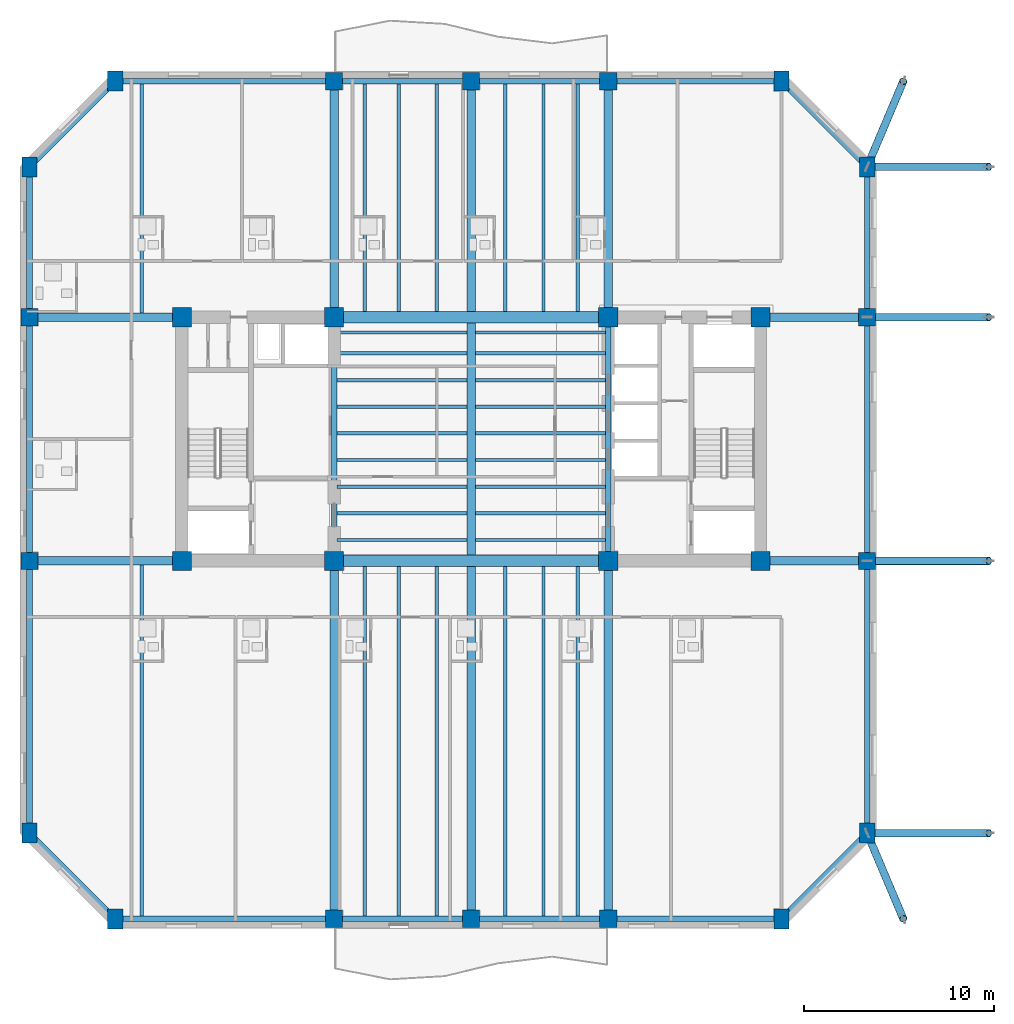
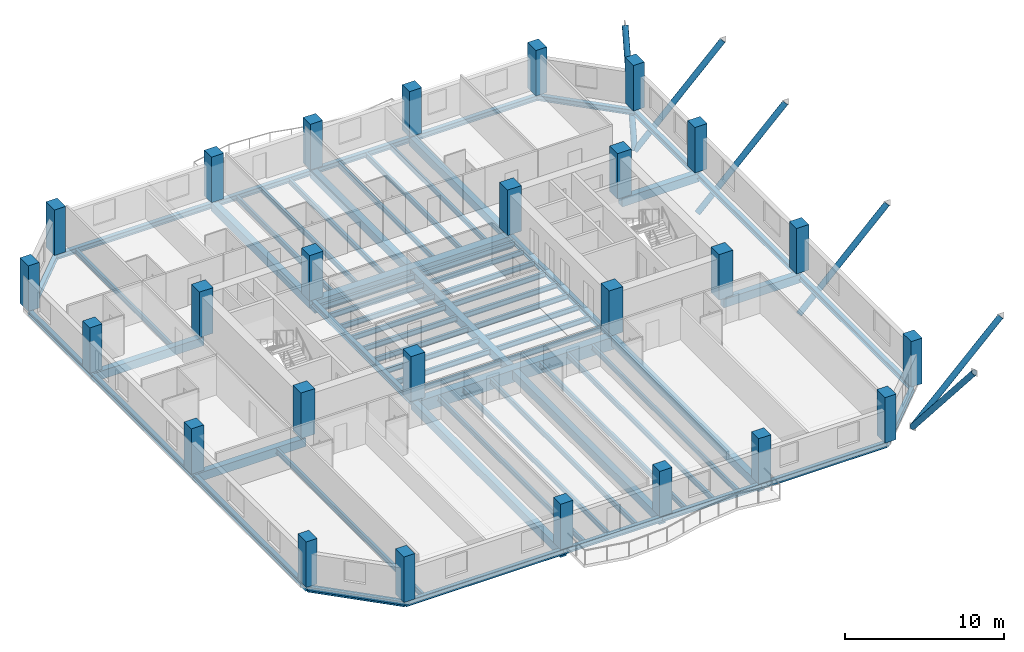
# One storey, part 1 of 14: 65 beams, 26 columns, 6 members.
"""IFC4 building model written with IfcOpenShell, lengths in metres."""

from ifc_helpers import new_model, si_unit, direction, frame, origin, origin_2d, place, context, subcontext, project, spatial, rectangle, hollow_circle, i_section, extrude, material, material_profile, profile_set, type_object, element, save


model = new_model("IFC4")

# Units and contexts
model_context = context("Model", 3, precision=1e-05, world=origin(), true_north=direction((0.0, 1.0)))
body_context = subcontext(model_context, "Body", "Model", "MODEL_VIEW")
ifc_project = project(units=[si_unit("LENGTHUNIT", "METRE"), si_unit("AREAUNIT", "SQUARE_METRE"), si_unit("VOLUMEUNIT", "CUBIC_METRE"), si_unit("PLANEANGLEUNIT", "RADIAN"), si_unit("MASSUNIT", "GRAM", prefix="KILO")], contexts=[model_context])

# Site, building, storey
site_placement = place(None, origin())
site = spatial("IfcSite", under=ifc_project, at=site_placement, CompositionType="ELEMENT")
building_placement = place(site_placement, origin())
building = spatial("IfcBuilding", under=site, at=building_placement, Name="Kranthara Brick Stack", CompositionType="ELEMENT")
storey_placement = place(building_placement, frame((0.0, 0.0, 137.800048828125)))
storey = spatial("IfcBuildingStorey", under=building, at=storey_placement, Name="L34", CompositionType="ELEMENT", Elevation=137.800048828125)

# Columns
ifc_material_1 = material(Name="Concrete C60/75", Category="concrete")
ifc_material_profile_1 = material_profile(ifc_material_1, rectangle(XDim=0.800048828125, YDim=1.050048828125, at=origin_2d()), Name="RC 800x1050")
ifc_profile_set_1 = profile_set([ifc_material_profile_1], Name="Concrete C60/75")
column_type_1 = type_object("IfcColumnType", Name="COL-CHAM-800x1050", PredefinedType="COLUMN", material=ifc_profile_set_1)
for number, where, z_axis, x_axis, name in (
    (1, (9.300048828125, 2.0, 0.0), (0.0, 0.0, 1.0), (1.0, 0.0, 0.0), "L34 Column 09"),
    (2, (9.300048828125, 46.0, 0.0), (0.0, 0.0, 1.0), (1.0, 0.0, 0.0), "L34 Column 10"),
    (3, (44.300048828125, 2.0, 0.0), (0.0, 0.0, 1.0), (1.0, 0.0, 0.0), "L34 Column 17"),
    (4, (44.300048828125, 46.0, 0.0), (0.0, 0.0, 1.0), (1.0, 0.0, 0.0), "L34 Column 18"),
    (5, (4.800048828125, 6.5, 0.0), (0.0, 0.0, 1.0), (1.0, 0.0, 0.0), "L34 Column 19"),
    (6, (48.800048828125, 6.5, 0.0), (0.0, 0.0, 1.0), (1.0, 0.0, 0.0), "L34 Column 20"),
    (7, (4.800048828125, 41.5, 0.0), (0.0, 0.0, 1.0), (1.0, 0.0, 0.0), "L34 Column 25"),
    (8, (48.800048828125, 41.5, 0.0), (0.0, 0.0, 1.0), (1.0, 0.0, 0.0), "L34 Column 26"),
):
    element("IfcColumn", number, at=place(storey_placement, frame(where, z_axis=z_axis, x_axis=x_axis)), inside=storey, type_object=column_type_1, Name=name, PredefinedType="COLUMN", context=body_context, shape_type="SweptSolid", body=[
        extrude(rectangle(XDim=0.800048828125, YDim=1.050048828125, at=origin_2d()), origin(), (0.0, 0.0, 1.0), 3.5),
    ])
ifc_material_2 = material(Name="Concrete C60/75", Category="concrete")
ifc_material_profile_2 = material_profile(ifc_material_2, rectangle(XDim=1.0, YDim=1.0, at=origin_2d()), Name="RC 1000x1000")
ifc_profile_set_2 = profile_set([ifc_material_profile_2], Name="Concrete C60/75")
column_type_2 = type_object("IfcColumnType", Name="COL-CORE-1000", PredefinedType="COLUMN", material=ifc_profile_set_2)
for number, where, z_axis, x_axis, name in (
    (9, (12.800048828125, 20.800048828125, 0.0), (0.0, 0.0, 1.0), (1.0, 0.0, 0.0), "L34 Column 01"),
    (10, (20.800048828125, 20.800048828125, 0.0), (0.0, 0.0, 1.0), (1.0, 0.0, 0.0), "L34 Column 02"),
    (11, (12.800048828125, 33.60009765625, 0.0), (0.0, 0.0, 1.0), (1.0, 0.0, 0.0), "L34 Column 03"),
    (12, (20.800048828125, 33.60009765625, 0.0), (0.0, 0.0, 1.0), (1.0, 0.0, 0.0), "L34 Column 04"),
    (13, (35.199951171875, 20.800048828125, 0.0), (0.0, 0.0, 1.0), (1.0, 0.0, 0.0), "L34 Column 05"),
    (14, (43.199951171875, 20.800048828125, 0.0), (0.0, 0.0, 1.0), (1.0, 0.0, 0.0), "L34 Column 06"),
    (15, (35.199951171875, 33.60009765625, 0.0), (0.0, 0.0, 1.0), (1.0, 0.0, 0.0), "L34 Column 07"),
    (16, (43.199951171875, 33.60009765625, 0.0), (0.0, 0.0, 1.0), (1.0, 0.0, 0.0), "L34 Column 08"),
):
    element("IfcColumn", number, at=place(storey_placement, frame(where, z_axis=z_axis, x_axis=x_axis)), inside=storey, type_object=column_type_2, Name=name, PredefinedType="COLUMN", context=body_context, shape_type="SweptSolid", body=[
        extrude(rectangle(XDim=1.0, YDim=1.0, at=origin_2d()), origin(), (0.0, 0.0, 1.0), 3.5),
    ])
ifc_material_3 = material(Name="Concrete C60/75", Category="concrete")
ifc_material_profile_3 = material_profile(ifc_material_3, rectangle(XDim=0.89990234375, YDim=0.89990234375, at=origin_2d()), Name="RC 900x900")
ifc_profile_set_3 = profile_set([ifc_material_profile_3], Name="Concrete C60/75")
column_type_3 = type_object("IfcColumnType", Name="COL-PER-900", PredefinedType="COLUMN", material=ifc_profile_set_3)
for number, where, z_axis, x_axis, name in (
    (17, (20.800048828125, 2.0, 0.0), (0.0, 0.0, 1.0), (1.0, 0.0, 0.0), "L34 Column 11"),
    (18, (20.800048828125, 46.0, 0.0), (0.0, 0.0, 1.0), (1.0, 0.0, 0.0), "L34 Column 12"),
    (19, (28.0, 2.0, 0.0), (0.0, 0.0, 1.0), (1.0, 0.0, 0.0), "L34 Column 13"),
    (20, (28.0, 46.0, 0.0), (0.0, 0.0, 1.0), (1.0, 0.0, 0.0), "L34 Column 14"),
    (21, (35.199951171875, 2.0, 0.0), (0.0, 0.0, 1.0), (1.0, 0.0, 0.0), "L34 Column 15"),
    (22, (35.199951171875, 46.0, 0.0), (0.0, 0.0, 1.0), (1.0, 0.0, 0.0), "L34 Column 16"),
    (23, (4.800048828125, 20.800048828125, 0.0), (0.0, 0.0, 1.0), (1.0, 0.0, 0.0), "L34 Column 21"),
    (24, (48.800048828125, 20.800048828125, 0.0), (0.0, 0.0, 1.0), (1.0, 0.0, 0.0), "L34 Column 22"),
    (25, (4.800048828125, 33.60009765625, 0.0), (0.0, 0.0, 1.0), (1.0, 0.0, 0.0), "L34 Column 23"),
    (26, (48.800048828125, 33.60009765625, 0.0), (0.0, 0.0, 1.0), (1.0, 0.0, 0.0), "L34 Column 24"),
):
    element("IfcColumn", number, at=place(storey_placement, frame(where, z_axis=z_axis, x_axis=x_axis)), inside=storey, type_object=column_type_3, Name=name, PredefinedType="COLUMN", context=body_context, shape_type="SweptSolid", body=[
        extrude(rectangle(XDim=0.89990234375, YDim=0.89990234375, at=origin_2d()), origin(), (0.0, 0.0, 1.0), 3.5),
    ])

# Beams
ifc_material_4 = material(Name="Concrete C60/75", Category="concrete")
ifc_material_profile_4 = material_profile(ifc_material_4, rectangle(XDim=0.60009765625, YDim=0.949951171875, at=origin_2d()), Name="RC 600x950")
ifc_profile_set_4 = profile_set([ifc_material_profile_4], Name="Concrete C60/75")
beam_type_1 = type_object("IfcBeamType", Name="BM-CPL-RC950", PredefinedType="LINTEL", material=ifc_profile_set_4)
for number, where, z_axis, x_axis, name in (
    (27, (20.800048828125, 20.800048828125, -0.775146484375), (1.0, 0.0, 0.0), (0.0, 1.0, 0.0), "L34 Core Coupling Beam 001"),
    (28, (20.800048828125, 33.60009765625, -0.775146484375), (1.0, 0.0, 0.0), (0.0, 1.0, 0.0), "L34 Core Coupling Beam 002"),
):
    element("IfcBeam", number, at=place(storey_placement, frame(where, z_axis=z_axis, x_axis=x_axis)), inside=storey, type_object=beam_type_1, Name=name, PredefinedType="LINTEL", context=body_context, shape_type="SweptSolid", body=[
        extrude(rectangle(XDim=0.60009765625, YDim=0.949951171875, at=origin_2d()), origin(), (0.0, 0.0, 1.0), 14.39990234375),
    ])
ifc_material_5 = material(Name="Post-tensioned concrete C45/55", Category="concrete")
ifc_material_profile_5 = material_profile(ifc_material_5, rectangle(XDim=0.449951171875, YDim=0.64990234375, at=origin_2d()), Name="PT 450x650")
ifc_profile_set_5 = profile_set([ifc_material_profile_5], Name="Post-tensioned concrete C45/55")
beam_type_2 = type_object("IfcBeamType", Name="BM-FLR-PT650", PredefinedType="BEAM", material=ifc_profile_set_5)
beam_1_placement = place(storey_placement, frame((20.800048828125, 2.0, -0.625), z_axis=(0.0, 1.0, 0.0), x_axis=(-1.0, 0.0, 0.0)))
element("IfcBeam", 29, at=beam_1_placement, inside=storey, type_object=beam_type_2, Name="L34 Primary Grid Girder 023", PredefinedType="BEAM", context=body_context, shape_type="SweptSolid", body=[
    extrude(rectangle(XDim=0.449951171875, YDim=0.64990234375, at=origin_2d()), origin(), (0.0, 0.0, 1.0), 18.800048828125),
])
beam_2_placement = place(storey_placement, frame((20.800048828125, 33.60009765625, -0.625), z_axis=(0.0, 1.0, 0.0), x_axis=(-1.0, 0.0, 0.0)))
element("IfcBeam", 30, at=beam_2_placement, inside=storey, type_object=beam_type_2, Name="L34 Primary Grid Girder 024", PredefinedType="BEAM", context=body_context, shape_type="SweptSolid", body=[
    extrude(rectangle(XDim=0.449951171875, YDim=0.64990234375, at=origin_2d()), origin(), (0.0, 0.0, 1.0), 12.39990234375),
])
beam_3_placement = place(storey_placement, frame((28.0, 2.0, -0.625), z_axis=(0.0, 1.0, 0.0), x_axis=(-1.0, 0.0, 0.0)))
element("IfcBeam", 31, at=beam_3_placement, inside=storey, type_object=beam_type_2, Name="L34 Primary Grid Girder 025", PredefinedType="BEAM", context=body_context, shape_type="SweptSolid", body=[
    extrude(rectangle(XDim=0.449951171875, YDim=0.64990234375, at=origin_2d()), origin(), (0.0, 0.0, 1.0), 18.5),
])
beam_4_placement = place(storey_placement, frame((28.0, 21.10009765625, -0.625), z_axis=(0.0, 1.0, 0.0), x_axis=(-1.0, 0.0, 0.0)))
element("IfcBeam", 32, at=beam_4_placement, inside=storey, type_object=beam_type_2, Name="L34 Central Spine Girder 026", PredefinedType="BEAM", context=body_context, shape_type="SweptSolid", body=[
    extrude(rectangle(XDim=0.449951171875, YDim=0.64990234375, at=origin_2d()), origin(), (0.0, 0.0, 1.0), 12.199951171875),
])
beam_5_placement = place(storey_placement, frame((28.0, 33.89990234375, -0.625), z_axis=(0.0, 1.0, 0.0), x_axis=(-1.0, 0.0, 0.0)))
element("IfcBeam", 33, at=beam_5_placement, inside=storey, type_object=beam_type_2, Name="L34 Primary Grid Girder 027", PredefinedType="BEAM", context=body_context, shape_type="SweptSolid", body=[
    extrude(rectangle(XDim=0.449951171875, YDim=0.64990234375, at=origin_2d()), origin(), (0.0, 0.0, 1.0), 12.10009765625),
])
beam_6_placement = place(storey_placement, frame((35.199951171875, 2.0, -0.625), z_axis=(0.0, 1.0, 0.0), x_axis=(-1.0, 0.0, 0.0)))
element("IfcBeam", 34, at=beam_6_placement, inside=storey, type_object=beam_type_2, Name="L34 Primary Grid Girder 028", PredefinedType="BEAM", context=body_context, shape_type="SweptSolid", body=[
    extrude(rectangle(XDim=0.449951171875, YDim=0.64990234375, at=origin_2d()), origin(), (0.0, 0.0, 1.0), 18.800048828125),
])
beam_7_placement = place(storey_placement, frame((35.199951171875, 33.60009765625, -0.625), z_axis=(0.0, 1.0, 0.0), x_axis=(-1.0, 0.0, 0.0)))
element("IfcBeam", 35, at=beam_7_placement, inside=storey, type_object=beam_type_2, Name="L34 Primary Grid Girder 029", PredefinedType="BEAM", context=body_context, shape_type="SweptSolid", body=[
    extrude(rectangle(XDim=0.449951171875, YDim=0.64990234375, at=origin_2d()), origin(), (0.0, 0.0, 1.0), 12.39990234375),
])
beam_8_placement = place(storey_placement, frame((4.800048828125, 20.800048828125, -0.625), z_axis=(1.0, 0.0, 0.0), x_axis=(0.0, 1.0, 0.0)))
element("IfcBeam", 36, at=beam_8_placement, inside=storey, type_object=beam_type_2, Name="L34 Primary Grid Girder 030", PredefinedType="BEAM", context=body_context, shape_type="SweptSolid", body=[
    extrude(rectangle(XDim=0.449951171875, YDim=0.64990234375, at=origin_2d()), origin(), (0.0, 0.0, 1.0), 8.0),
])
beam_9_placement = place(storey_placement, frame((43.199951171875, 20.800048828125, -0.625), z_axis=(1.0, 0.0, 0.0), x_axis=(0.0, 1.0, 0.0)))
element("IfcBeam", 37, at=beam_9_placement, inside=storey, type_object=beam_type_2, Name="L34 Primary Grid Girder 031", PredefinedType="BEAM", context=body_context, shape_type="SweptSolid", body=[
    extrude(rectangle(XDim=0.449951171875, YDim=0.64990234375, at=origin_2d()), origin(), (0.0, 0.0, 1.0), 5.60009765625),
])
beam_10_placement = place(storey_placement, frame((4.800048828125, 33.60009765625, -0.625), z_axis=(1.0, 0.0, 0.0), x_axis=(0.0, 1.0, 0.0)))
element("IfcBeam", 38, at=beam_10_placement, inside=storey, type_object=beam_type_2, Name="L34 Primary Grid Girder 032", PredefinedType="BEAM", context=body_context, shape_type="SweptSolid", body=[
    extrude(rectangle(XDim=0.449951171875, YDim=0.64990234375, at=origin_2d()), origin(), (0.0, 0.0, 1.0), 8.0),
])
beam_11_placement = place(storey_placement, frame((43.199951171875, 33.60009765625, -0.625), z_axis=(1.0, 0.0, 0.0), x_axis=(0.0, 1.0, 0.0)))
element("IfcBeam", 39, at=beam_11_placement, inside=storey, type_object=beam_type_2, Name="L34 Primary Grid Girder 033", PredefinedType="BEAM", context=body_context, shape_type="SweptSolid", body=[
    extrude(rectangle(XDim=0.449951171875, YDim=0.64990234375, at=origin_2d()), origin(), (0.0, 0.0, 1.0), 5.60009765625),
])
ifc_material_6 = material(Name="Steel S355", Category="steel")
ifc_material_profile_6 = material_profile(ifc_material_6, i_section(OverallWidth=0.179931640625, OverallDepth=0.39990234375, WebThickness=0.008544921875, FlangeThickness=0.013427734375, at=origin_2d()), Name="IPE 400")
ifc_profile_set_6 = profile_set([ifc_material_profile_6], Name="Steel S355")
beam_type_3 = type_object("IfcBeamType", Name="BM-JST-IPE400", PredefinedType="JOIST", material=ifc_profile_set_6)
for number, where, z_axis, x_axis, name in (
    (40, (20.949951171875, 21.89990234375, -0.5), (1.0, 0.0, 0.0), (0.0, 1.0, 0.0), "L34 Central Floor Joist 034"),
    (41, (28.22509765625, 21.89990234375, -0.5), (1.0, 0.0, 0.0), (0.0, 1.0, 0.0), "L34 Central Floor Joist 035"),
    (42, (20.949951171875, 23.300048828125, -0.5), (1.0, 0.0, 0.0), (0.0, 1.0, 0.0), "L34 Central Floor Joist 036"),
    (43, (28.22509765625, 23.300048828125, -0.5), (1.0, 0.0, 0.0), (0.0, 1.0, 0.0), "L34 Central Floor Joist 037"),
    (44, (20.949951171875, 24.699951171875, -0.5), (1.0, 0.0, 0.0), (0.0, 1.0, 0.0), "L34 Central Floor Joist 038"),
    (45, (28.22509765625, 24.699951171875, -0.5), (1.0, 0.0, 0.0), (0.0, 1.0, 0.0), "L34 Central Floor Joist 039"),
    (46, (20.949951171875, 26.10009765625, -0.5), (1.0, 0.0, 0.0), (0.0, 1.0, 0.0), "L34 Central Floor Joist 040"),
    (47, (28.22509765625, 26.10009765625, -0.5), (1.0, 0.0, 0.0), (0.0, 1.0, 0.0), "L34 Central Floor Joist 041"),
    (48, (20.949951171875, 27.5, -0.5), (1.0, 0.0, 0.0), (0.0, 1.0, 0.0), "L34 Central Floor Joist 042"),
    (49, (28.22509765625, 27.5, -0.5), (1.0, 0.0, 0.0), (0.0, 1.0, 0.0), "L34 Central Floor Joist 043"),
    (50, (20.949951171875, 28.89990234375, -0.5), (1.0, 0.0, 0.0), (0.0, 1.0, 0.0), "L34 Central Floor Joist 044"),
    (51, (28.22509765625, 28.89990234375, -0.5), (1.0, 0.0, 0.0), (0.0, 1.0, 0.0), "L34 Central Floor Joist 045"),
    (52, (20.949951171875, 30.300048828125, -0.5), (1.0, 0.0, 0.0), (0.0, 1.0, 0.0), "L34 Central Floor Joist 046"),
    (53, (28.22509765625, 30.300048828125, -0.5), (1.0, 0.0, 0.0), (0.0, 1.0, 0.0), "L34 Central Floor Joist 047"),
    (54, (20.949951171875, 31.699951171875, -0.5), (1.0, 0.0, 0.0), (0.0, 1.0, 0.0), "L34 Central Floor Joist 048"),
    (55, (28.22509765625, 31.699951171875, -0.5), (1.0, 0.0, 0.0), (0.0, 1.0, 0.0), "L34 Central Floor Joist 049"),
    (56, (20.949951171875, 32.800048828125, -0.5), (1.0, 0.0, 0.0), (0.0, 1.0, 0.0), "L34 Central Floor Joist 050"),
    (57, (28.22509765625, 32.800048828125, -0.5), (1.0, 0.0, 0.0), (0.0, 1.0, 0.0), "L34 Central Floor Joist 051"),
):
    element("IfcBeam", number, at=place(storey_placement, frame(where, z_axis=z_axis, x_axis=x_axis)), inside=storey, type_object=beam_type_3, Name=name, PredefinedType="JOIST", context=body_context, shape_type="SweptSolid", body=[
        extrude(i_section(OverallWidth=0.179931640625, OverallDepth=0.39990234375, WebThickness=0.008544921875, FlangeThickness=0.013427734375, at=origin_2d()), origin(), (0.0, 0.0, 1.0), 6.824951171875),
    ])
beam_12_placement = place(storey_placement, frame((10.699951171875, 2.14990234375, -0.5), z_axis=(0.0, 1.0, 0.0), x_axis=(-1.0, 0.0, 0.0)))
element("IfcBeam", 58, at=beam_12_placement, inside=storey, type_object=beam_type_3, Name="L34 South Wing Floor Joist 052", PredefinedType="JOIST", context=body_context, shape_type="SweptSolid", body=[
    extrude(i_section(OverallWidth=0.179931640625, OverallDepth=0.39990234375, WebThickness=0.008544921875, FlangeThickness=0.013427734375, at=origin_2d()), origin(), (0.0, 0.0, 1.0), 18.425048828125),
])
beam_13_placement = place(storey_placement, frame((10.699951171875, 33.824951171875, -0.5), z_axis=(0.0, 1.0, 0.0), x_axis=(-1.0, 0.0, 0.0)))
element("IfcBeam", 59, at=beam_13_placement, inside=storey, type_object=beam_type_3, Name="L34 North Wing Floor Joist 053", PredefinedType="JOIST", context=body_context, shape_type="SweptSolid", body=[
    extrude(i_section(OverallWidth=0.179931640625, OverallDepth=0.39990234375, WebThickness=0.008544921875, FlangeThickness=0.013427734375, at=origin_2d()), origin(), (0.0, 0.0, 1.0), 12.025146484375),
])
beam_14_placement = place(storey_placement, frame((22.39990234375, 2.14990234375, -0.5), z_axis=(0.0, 1.0, 0.0), x_axis=(-1.0, 0.0, 0.0)))
element("IfcBeam", 60, at=beam_14_placement, inside=storey, type_object=beam_type_3, Name="L34 South Wing Floor Joist 054", PredefinedType="JOIST", context=body_context, shape_type="SweptSolid", body=[
    extrude(i_section(OverallWidth=0.179931640625, OverallDepth=0.39990234375, WebThickness=0.008544921875, FlangeThickness=0.013427734375, at=origin_2d()), origin(), (0.0, 0.0, 1.0), 18.35009765625),
])
beam_15_placement = place(storey_placement, frame((22.39990234375, 33.89990234375, -0.5), z_axis=(0.0, 1.0, 0.0), x_axis=(-1.0, 0.0, 0.0)))
element("IfcBeam", 61, at=beam_15_placement, inside=storey, type_object=beam_type_3, Name="L34 North Wing Floor Joist 055", PredefinedType="JOIST", context=body_context, shape_type="SweptSolid", body=[
    extrude(i_section(OverallWidth=0.179931640625, OverallDepth=0.39990234375, WebThickness=0.008544921875, FlangeThickness=0.013427734375, at=origin_2d()), origin(), (0.0, 0.0, 1.0), 11.9501953125),
])
beam_16_placement = place(storey_placement, frame((24.199951171875, 2.14990234375, -0.5), z_axis=(0.0, 1.0, 0.0), x_axis=(-1.0, 0.0, 0.0)))
element("IfcBeam", 62, at=beam_16_placement, inside=storey, type_object=beam_type_3, Name="L34 South Wing Floor Joist 056", PredefinedType="JOIST", context=body_context, shape_type="SweptSolid", body=[
    extrude(i_section(OverallWidth=0.179931640625, OverallDepth=0.39990234375, WebThickness=0.008544921875, FlangeThickness=0.013427734375, at=origin_2d()), origin(), (0.0, 0.0, 1.0), 18.35009765625),
])
beam_17_placement = place(storey_placement, frame((24.199951171875, 33.89990234375, -0.5), z_axis=(0.0, 1.0, 0.0), x_axis=(-1.0, 0.0, 0.0)))
element("IfcBeam", 63, at=beam_17_placement, inside=storey, type_object=beam_type_3, Name="L34 North Wing Floor Joist 057", PredefinedType="JOIST", context=body_context, shape_type="SweptSolid", body=[
    extrude(i_section(OverallWidth=0.179931640625, OverallDepth=0.39990234375, WebThickness=0.008544921875, FlangeThickness=0.013427734375, at=origin_2d()), origin(), (0.0, 0.0, 1.0), 11.9501953125),
])
beam_18_placement = place(storey_placement, frame((26.199951171875, 2.14990234375, -0.5), z_axis=(0.0, 1.0, 0.0), x_axis=(-1.0, 0.0, 0.0)))
element("IfcBeam", 64, at=beam_18_placement, inside=storey, type_object=beam_type_3, Name="L34 South Wing Floor Joist 058", PredefinedType="JOIST", context=body_context, shape_type="SweptSolid", body=[
    extrude(i_section(OverallWidth=0.179931640625, OverallDepth=0.39990234375, WebThickness=0.008544921875, FlangeThickness=0.013427734375, at=origin_2d()), origin(), (0.0, 0.0, 1.0), 18.35009765625),
])
beam_19_placement = place(storey_placement, frame((26.199951171875, 33.89990234375, -0.5), z_axis=(0.0, 1.0, 0.0), x_axis=(-1.0, 0.0, 0.0)))
element("IfcBeam", 65, at=beam_19_placement, inside=storey, type_object=beam_type_3, Name="L34 North Wing Floor Joist 059", PredefinedType="JOIST", context=body_context, shape_type="SweptSolid", body=[
    extrude(i_section(OverallWidth=0.179931640625, OverallDepth=0.39990234375, WebThickness=0.008544921875, FlangeThickness=0.013427734375, at=origin_2d()), origin(), (0.0, 0.0, 1.0), 11.9501953125),
])
beam_20_placement = place(storey_placement, frame((29.800048828125, 2.14990234375, -0.5), z_axis=(0.0, 1.0, 0.0), x_axis=(-1.0, 0.0, 0.0)))
element("IfcBeam", 66, at=beam_20_placement, inside=storey, type_object=beam_type_3, Name="L34 South Wing Floor Joist 060", PredefinedType="JOIST", context=body_context, shape_type="SweptSolid", body=[
    extrude(i_section(OverallWidth=0.179931640625, OverallDepth=0.39990234375, WebThickness=0.008544921875, FlangeThickness=0.013427734375, at=origin_2d()), origin(), (0.0, 0.0, 1.0), 18.35009765625),
])
beam_21_placement = place(storey_placement, frame((29.800048828125, 33.89990234375, -0.5), z_axis=(0.0, 1.0, 0.0), x_axis=(-1.0, 0.0, 0.0)))
element("IfcBeam", 67, at=beam_21_placement, inside=storey, type_object=beam_type_3, Name="L34 North Wing Floor Joist 061", PredefinedType="JOIST", context=body_context, shape_type="SweptSolid", body=[
    extrude(i_section(OverallWidth=0.179931640625, OverallDepth=0.39990234375, WebThickness=0.008544921875, FlangeThickness=0.013427734375, at=origin_2d()), origin(), (0.0, 0.0, 1.0), 11.9501953125),
])
beam_22_placement = place(storey_placement, frame((31.800048828125, 2.14990234375, -0.5), z_axis=(0.0, 1.0, 0.0), x_axis=(-1.0, 0.0, 0.0)))
element("IfcBeam", 68, at=beam_22_placement, inside=storey, type_object=beam_type_3, Name="L34 South Wing Floor Joist 062", PredefinedType="JOIST", context=body_context, shape_type="SweptSolid", body=[
    extrude(i_section(OverallWidth=0.179931640625, OverallDepth=0.39990234375, WebThickness=0.008544921875, FlangeThickness=0.013427734375, at=origin_2d()), origin(), (0.0, 0.0, 1.0), 18.35009765625),
])
beam_23_placement = place(storey_placement, frame((31.800048828125, 33.89990234375, -0.5), z_axis=(0.0, 1.0, 0.0), x_axis=(-1.0, 0.0, 0.0)))
element("IfcBeam", 69, at=beam_23_placement, inside=storey, type_object=beam_type_3, Name="L34 North Wing Floor Joist 063", PredefinedType="JOIST", context=body_context, shape_type="SweptSolid", body=[
    extrude(i_section(OverallWidth=0.179931640625, OverallDepth=0.39990234375, WebThickness=0.008544921875, FlangeThickness=0.013427734375, at=origin_2d()), origin(), (0.0, 0.0, 1.0), 11.9501953125),
])
beam_24_placement = place(storey_placement, frame((33.60009765625, 2.14990234375, -0.5), z_axis=(0.0, 1.0, 0.0), x_axis=(-1.0, 0.0, 0.0)))
element("IfcBeam", 70, at=beam_24_placement, inside=storey, type_object=beam_type_3, Name="L34 South Wing Floor Joist 064", PredefinedType="JOIST", context=body_context, shape_type="SweptSolid", body=[
    extrude(i_section(OverallWidth=0.179931640625, OverallDepth=0.39990234375, WebThickness=0.008544921875, FlangeThickness=0.013427734375, at=origin_2d()), origin(), (0.0, 0.0, 1.0), 18.35009765625),
])
beam_25_placement = place(storey_placement, frame((33.60009765625, 33.89990234375, -0.5), z_axis=(0.0, 1.0, 0.0), x_axis=(-1.0, 0.0, 0.0)))
element("IfcBeam", 71, at=beam_25_placement, inside=storey, type_object=beam_type_3, Name="L34 North Wing Floor Joist 065", PredefinedType="JOIST", context=body_context, shape_type="SweptSolid", body=[
    extrude(i_section(OverallWidth=0.179931640625, OverallDepth=0.39990234375, WebThickness=0.008544921875, FlangeThickness=0.013427734375, at=origin_2d()), origin(), (0.0, 0.0, 1.0), 11.9501953125),
])
ifc_material_7 = material(Name="Steel S355", Category="steel")
ifc_material_profile_7 = material_profile(ifc_material_7, i_section(OverallWidth=0.300048828125, OverallDepth=0.39990234375, WebThickness=0.013427734375, FlangeThickness=0.02392578125, at=origin_2d()), Name="HEB 400")
ifc_profile_set_7 = profile_set([ifc_material_profile_7], Name="Steel S355")
beam_type_4 = type_object("IfcBeamType", Name="BM-STL-HEB400", PredefinedType="SPANDREL", material=ifc_profile_set_7)
beam_26_placement = place(storey_placement, frame((9.300048828125, 2.0, -0.5), z_axis=(1.0, 0.0, 0.0), x_axis=(0.0, 1.0, 0.0)))
element("IfcBeam", 72, at=beam_26_placement, inside=storey, type_object=beam_type_4, Name="L34 Perimeter Spandrel Beam 005", PredefinedType="SPANDREL", context=body_context, shape_type="SweptSolid", body=[
    extrude(i_section(OverallWidth=0.300048828125, OverallDepth=0.39990234375, WebThickness=0.013427734375, FlangeThickness=0.02392578125, at=origin_2d()), origin(), (0.0, 0.0, 1.0), 11.5),
])
for number, where, z_axis, x_axis, name in (
    (73, (20.800048828125, 2.0, -0.5), (1.0, 0.0, 0.0), (0.0, 1.0, 0.0), "L34 Perimeter Spandrel Beam 006"),
    (74, (28.0, 2.0, -0.5), (1.0, 0.0, 0.0), (0.0, 1.0, 0.0), "L34 Perimeter Spandrel Beam 007"),
):
    element("IfcBeam", number, at=place(storey_placement, frame(where, z_axis=z_axis, x_axis=x_axis)), inside=storey, type_object=beam_type_4, Name=name, PredefinedType="SPANDREL", context=body_context, shape_type="SweptSolid", body=[
        extrude(i_section(OverallWidth=0.300048828125, OverallDepth=0.39990234375, WebThickness=0.013427734375, FlangeThickness=0.02392578125, at=origin_2d()), origin(), (0.0, 0.0, 1.0), 7.199951171875),
    ])
beam_27_placement = place(storey_placement, frame((35.199951171875, 2.0, -0.5), z_axis=(1.0, 0.0, 0.0), x_axis=(0.0, 1.0, 0.0)))
element("IfcBeam", 75, at=beam_27_placement, inside=storey, type_object=beam_type_4, Name="L34 Perimeter Spandrel Beam 008", PredefinedType="SPANDREL", context=body_context, shape_type="SweptSolid", body=[
    extrude(i_section(OverallWidth=0.300048828125, OverallDepth=0.39990234375, WebThickness=0.013427734375, FlangeThickness=0.02392578125, at=origin_2d()), origin(), (0.0, 0.0, 1.0), 9.10009765625),
])
beam_28_placement = place(storey_placement, frame((9.300048828125, 46.0, -0.5), z_axis=(1.0, 0.0, 0.0), x_axis=(0.0, 1.0, 0.0)))
element("IfcBeam", 76, at=beam_28_placement, inside=storey, type_object=beam_type_4, Name="L34 Perimeter Spandrel Beam 009", PredefinedType="SPANDREL", context=body_context, shape_type="SweptSolid", body=[
    extrude(i_section(OverallWidth=0.300048828125, OverallDepth=0.39990234375, WebThickness=0.013427734375, FlangeThickness=0.02392578125, at=origin_2d()), origin(), (0.0, 0.0, 1.0), 11.5),
])
for number, where, z_axis, x_axis, name in (
    (77, (20.800048828125, 46.0, -0.5), (1.0, 0.0, 0.0), (0.0, 1.0, 0.0), "L34 Perimeter Spandrel Beam 010"),
    (78, (28.0, 46.0, -0.5), (1.0, 0.0, 0.0), (0.0, 1.0, 0.0), "L34 Perimeter Spandrel Beam 011"),
):
    element("IfcBeam", number, at=place(storey_placement, frame(where, z_axis=z_axis, x_axis=x_axis)), inside=storey, type_object=beam_type_4, Name=name, PredefinedType="SPANDREL", context=body_context, shape_type="SweptSolid", body=[
        extrude(i_section(OverallWidth=0.300048828125, OverallDepth=0.39990234375, WebThickness=0.013427734375, FlangeThickness=0.02392578125, at=origin_2d()), origin(), (0.0, 0.0, 1.0), 7.199951171875),
    ])
beam_29_placement = place(storey_placement, frame((35.199951171875, 46.0, -0.5), z_axis=(1.0, 0.0, 0.0), x_axis=(0.0, 1.0, 0.0)))
element("IfcBeam", 79, at=beam_29_placement, inside=storey, type_object=beam_type_4, Name="L34 Perimeter Spandrel Beam 012", PredefinedType="SPANDREL", context=body_context, shape_type="SweptSolid", body=[
    extrude(i_section(OverallWidth=0.300048828125, OverallDepth=0.39990234375, WebThickness=0.013427734375, FlangeThickness=0.02392578125, at=origin_2d()), origin(), (0.0, 0.0, 1.0), 9.10009765625),
])
beam_30_placement = place(storey_placement, frame((4.800048828125, 6.5, -0.5), z_axis=(0.0, 1.0, 0.0), x_axis=(-1.0, 0.0, 0.0)))
element("IfcBeam", 80, at=beam_30_placement, inside=storey, type_object=beam_type_4, Name="L34 Perimeter Spandrel Beam 013", PredefinedType="SPANDREL", context=body_context, shape_type="SweptSolid", body=[
    extrude(i_section(OverallWidth=0.300048828125, OverallDepth=0.39990234375, WebThickness=0.013427734375, FlangeThickness=0.02392578125, at=origin_2d()), origin(), (0.0, 0.0, 1.0), 14.300048828125),
])
beam_31_placement = place(storey_placement, frame((4.800048828125, 20.800048828125, -0.5), z_axis=(0.0, 1.0, 0.0), x_axis=(-1.0, 0.0, 0.0)))
element("IfcBeam", 81, at=beam_31_placement, inside=storey, type_object=beam_type_4, Name="L34 Perimeter Spandrel Beam 014", PredefinedType="SPANDREL", context=body_context, shape_type="SweptSolid", body=[
    extrude(i_section(OverallWidth=0.300048828125, OverallDepth=0.39990234375, WebThickness=0.013427734375, FlangeThickness=0.02392578125, at=origin_2d()), origin(), (0.0, 0.0, 1.0), 12.800048828125),
])
beam_32_placement = place(storey_placement, frame((4.800048828125, 33.60009765625, -0.5), z_axis=(0.0, 1.0, 0.0), x_axis=(-1.0, 0.0, 0.0)))
element("IfcBeam", 82, at=beam_32_placement, inside=storey, type_object=beam_type_4, Name="L34 Perimeter Spandrel Beam 015", PredefinedType="SPANDREL", context=body_context, shape_type="SweptSolid", body=[
    extrude(i_section(OverallWidth=0.300048828125, OverallDepth=0.39990234375, WebThickness=0.013427734375, FlangeThickness=0.02392578125, at=origin_2d()), origin(), (0.0, 0.0, 1.0), 7.89990234375),
])
beam_33_placement = place(storey_placement, frame((48.800048828125, 6.5, -0.5), z_axis=(0.0, 1.0, 0.0), x_axis=(-1.0, 0.0, 0.0)))
element("IfcBeam", 83, at=beam_33_placement, inside=storey, type_object=beam_type_4, Name="L34 Perimeter Spandrel Beam 016", PredefinedType="SPANDREL", context=body_context, shape_type="SweptSolid", body=[
    extrude(i_section(OverallWidth=0.300048828125, OverallDepth=0.39990234375, WebThickness=0.013427734375, FlangeThickness=0.02392578125, at=origin_2d()), origin(), (0.0, 0.0, 1.0), 14.300048828125),
])
beam_34_placement = place(storey_placement, frame((48.800048828125, 20.800048828125, -0.5), z_axis=(0.0, 1.0, 0.0), x_axis=(-1.0, 0.0, 0.0)))
element("IfcBeam", 84, at=beam_34_placement, inside=storey, type_object=beam_type_4, Name="L34 Perimeter Spandrel Beam 017", PredefinedType="SPANDREL", context=body_context, shape_type="SweptSolid", body=[
    extrude(i_section(OverallWidth=0.300048828125, OverallDepth=0.39990234375, WebThickness=0.013427734375, FlangeThickness=0.02392578125, at=origin_2d()), origin(), (0.0, 0.0, 1.0), 12.800048828125),
])
beam_35_placement = place(storey_placement, frame((48.800048828125, 33.60009765625, -0.5), z_axis=(0.0, 1.0, 0.0), x_axis=(-1.0, 0.0, 0.0)))
element("IfcBeam", 85, at=beam_35_placement, inside=storey, type_object=beam_type_4, Name="L34 Perimeter Spandrel Beam 018", PredefinedType="SPANDREL", context=body_context, shape_type="SweptSolid", body=[
    extrude(i_section(OverallWidth=0.300048828125, OverallDepth=0.39990234375, WebThickness=0.013427734375, FlangeThickness=0.02392578125, at=origin_2d()), origin(), (0.0, 0.0, 1.0), 7.89990234375),
])
for number, where, z_axis, x_axis, name in (
    (86, (9.300048828125, 2.0, -0.5), (-0.707106781187, 0.707106781187, 0.0), (-0.707106781187, -0.707106781187, 0.0), "L34 Chamfer Corner Spandrel 019"),
    (87, (44.300048828125, 2.0, -0.5), (0.707106781187, 0.707106781187, 0.0), (-0.707106781187, 0.707106781187, 0.0), "L34 Chamfer Corner Spandrel 020"),
    (88, (9.300048828125, 46.0, -0.5), (-0.707106781187, -0.707106781187, 0.0), (0.707106781187, -0.707106781187, 0.0), "L34 Chamfer Corner Spandrel 021"),
    (89, (44.300048828125, 46.0, -0.5), (0.707106781187, -0.707106781187, 0.0), (0.707106781187, 0.707106781187, 0.0), "L34 Chamfer Corner Spandrel 022"),
):
    element("IfcBeam", number, at=place(storey_placement, frame(where, z_axis=z_axis, x_axis=x_axis)), inside=storey, type_object=beam_type_4, Name=name, PredefinedType="SPANDREL", context=body_context, shape_type="SweptSolid", body=[
        extrude(i_section(OverallWidth=0.300048828125, OverallDepth=0.39990234375, WebThickness=0.013427734375, FlangeThickness=0.02392578125, at=origin_2d()), origin(), (0.0, 0.0, 1.0), 6.364013671875),
    ])
ifc_material_8 = material(Name="Steel S355", Category="steel")
ifc_material_profile_8 = material_profile(ifc_material_8, i_section(OverallWidth=0.300048828125, OverallDepth=0.449951171875, WebThickness=0.013916015625, FlangeThickness=0.02587890625, at=origin_2d()), Name="HEB 450")
ifc_profile_set_8 = profile_set([ifc_material_profile_8], Name="Steel S355")
beam_type_5 = type_object("IfcBeamType", Name="BM-STL-HEB450", PredefinedType="SPANDREL", material=ifc_profile_set_8)
for number, where, z_axis, x_axis, name in (
    (90, (20.800048828125, 20.800048828125, -0.525146484375), (0.0, 1.0, 0.0), (-1.0, 0.0, 0.0), "L34 Core Edge Tie Beam 003"),
    (91, (35.199951171875, 20.800048828125, -0.525146484375), (0.0, 1.0, 0.0), (-1.0, 0.0, 0.0), "L34 Core Edge Tie Beam 004"),
):
    element("IfcBeam", number, at=place(storey_placement, frame(where, z_axis=z_axis, x_axis=x_axis)), inside=storey, type_object=beam_type_5, Name=name, PredefinedType="SPANDREL", context=body_context, shape_type="SweptSolid", body=[
        extrude(i_section(OverallWidth=0.300048828125, OverallDepth=0.449951171875, WebThickness=0.013916015625, FlangeThickness=0.02587890625, at=origin_2d()), origin(), (0.0, 0.0, 1.0), 12.800048828125),
    ])

# Members
ifc_material_9 = material(Name="Steel S460", Category="steel")
ifc_material_profile_9 = material_profile(ifc_material_9, hollow_circle(Radius=0.203125, WallThickness=0.02001953125, at=origin_2d()), Name="CHS 406.4x20")
ifc_profile_set_9 = profile_set([ifc_material_profile_9], Name="Steel S460")
member_type = type_object("IfcMemberType", Name="MB-STR-CHS406", PredefinedType="STRUT", material=ifc_profile_set_9)
for number, where, z_axis, x_axis, name in (
    (92, (48.800048828125, 6.5, -3.5), (0.239513266873, -0.567297421614, 0.787913085576), (0.921256725392, 0.388955069282, 0.0), "L35 Jenga Raked Transfer Strut 27"),
    (93, (48.800048828125, 41.5, -3.5), (0.239513266873, 0.567297421614, 0.787913085576), (-0.921256725392, 0.388955069282, 0.0), "L35 Jenga Raked Transfer Strut 28"),
):
    element("IfcMember", number, at=place(storey_placement, frame(where, z_axis=z_axis, x_axis=x_axis)), inside=storey, type_object=member_type, Name=name, PredefinedType="STRUT", context=body_context, shape_type="SweptSolid", body=[
        extrude(hollow_circle(Radius=0.203125, WallThickness=0.02001953125, at=origin_2d()), origin(), (0.0, 0.0, 1.0), 7.932373046875),
    ])
for number, where, z_axis, x_axis, name in (
    (94, (48.800048828125, 6.5, -3.5), (0.715435821946, 0.0, 0.698678455856), (0.0, 1.0, 0.0), "L35 Jenga Raked Transfer Strut 29"),
    (95, (48.800048828125, 20.800048828125, -3.5), (0.715435821946, 0.0, 0.698678455856), (0.0, 1.0, 0.0), "L35 Jenga Raked Transfer Strut 30"),
    (96, (48.800048828125, 33.60009765625, -3.5), (0.715435821946, 0.0, 0.698678455856), (0.0, 1.0, 0.0), "L35 Jenga Raked Transfer Strut 31"),
    (97, (48.800048828125, 41.5, -3.5), (0.715435821946, 0.0, 0.698678455856), (0.0, 1.0, 0.0), "L35 Jenga Raked Transfer Strut 32"),
):
    element("IfcMember", number, at=place(storey_placement, frame(where, z_axis=z_axis, x_axis=x_axis)), inside=storey, type_object=member_type, Name=name, PredefinedType="STRUT", context=body_context, shape_type="SweptSolid", body=[
        extrude(hollow_circle(Radius=0.203125, WallThickness=0.02001953125, at=origin_2d()), origin(), (0.0, 0.0, 1.0), 8.945556640625),
    ])

save(model, "model.ifc")
